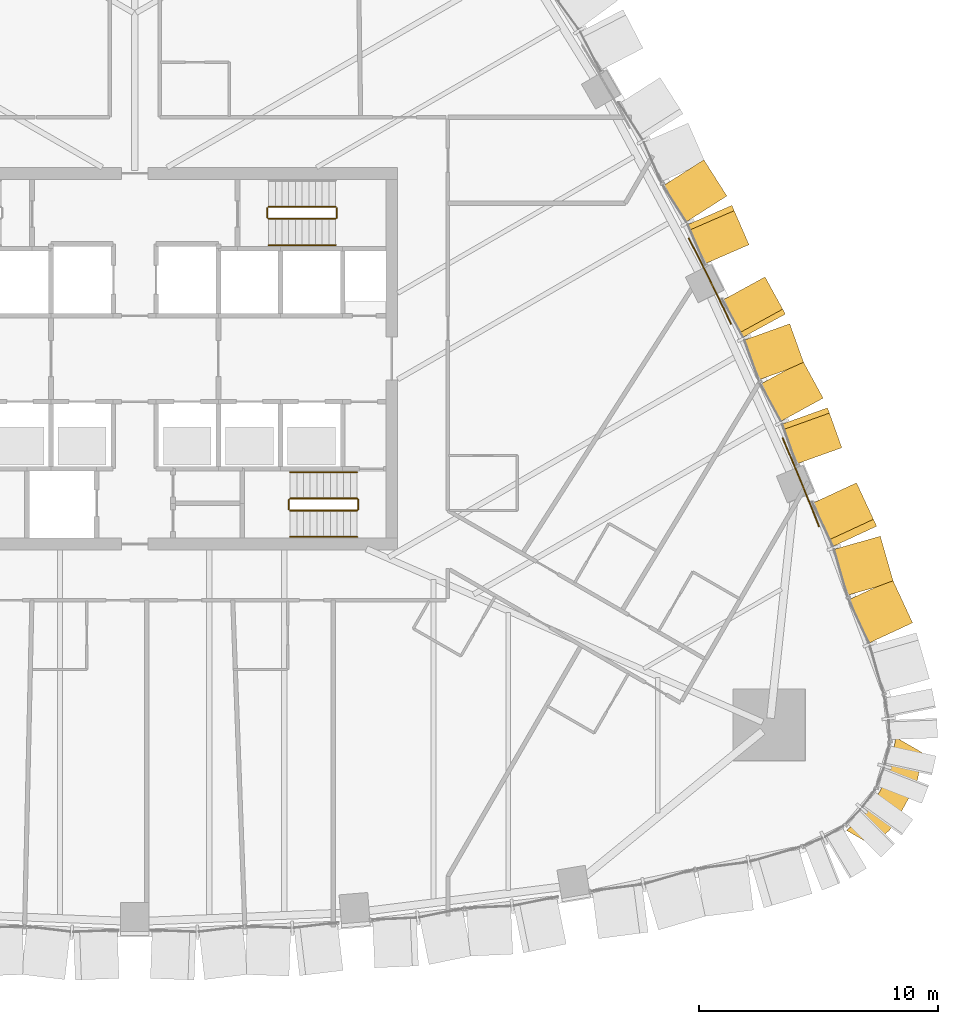
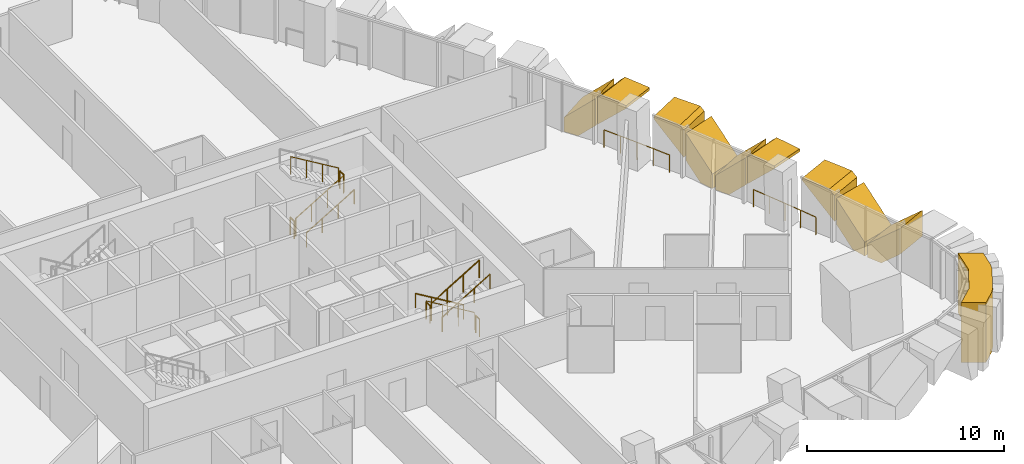
# One storey, part 20 of 23: 13 railings, 10 coverings.
"""IFC4 building model written with IfcOpenShell, lengths in metres."""

from ifc_helpers import new_model, si_unit, direction, frame, origin, origin_2d, place, context, subcontext, project, spatial, polyline, circle, outline, extrude, material, layer, layer_set, type_object, element, save


model = new_model("IFC4")

# Units and contexts
model_context = context("Model", 3, precision=1e-05, world=origin(), true_north=direction((0.0, 1.0)))
body_context = subcontext(model_context, "Body", "Model", "MODEL_VIEW")
ifc_project = project(units=[si_unit("LENGTHUNIT", "METRE"), si_unit("AREAUNIT", "SQUARE_METRE"), si_unit("VOLUMEUNIT", "CUBIC_METRE"), si_unit("PLANEANGLEUNIT", "RADIAN"), si_unit("MASSUNIT", "GRAM", prefix="KILO")], contexts=[model_context])

# Site, building, storey
site_placement = place(None, origin())
site = spatial("IfcSite", under=ifc_project, at=site_placement, CompositionType="ELEMENT")
building_placement = place(site_placement, origin())
building = spatial("IfcBuilding", under=site, at=building_placement, Name="Sierra Prisma Convention Tower", CompositionType="ELEMENT")
storey_placement = place(building_placement, frame((0.0, 0.0, 70.199951171875)))
storey = spatial("IfcBuildingStorey", under=building, at=storey_placement, Name="L13", CompositionType="ELEMENT", Elevation=70.199951171875)

# Coverings
ifc_material_1 = material(Name="Aluminium composite bronze anodised", Category="aluminium")
ifc_layer_1 = layer(ifc_material_1, 1.199951171875)
ifc_layer_set_1 = layer_set([ifc_layer_1], Name="Bronze corner pier")
covering_type_1 = type_object("IfcCoveringType", Name="Bronze corner pier", PredefinedType="CLADDING", material=ifc_layer_set_1)
covering_1_placement = place(storey_placement, frame((0.0, 0.0, -0.599853515625)))
element("IfcCovering", 1, at=covering_1_placement, inside=storey, type_object=covering_type_1, Name="Corner pier SE L13.1", PredefinedType="CLADDING", context=body_context, shape_type="SweptSolid", body=[
    extrude(outline(polyline([(32.628173828125, -17.910400390625), (31.81494140625, -19.404052734375), (31.573486328125, -19.71337890625), (30.868408203125, -20.3623046875), (29.779296875, -19.7333984375), (30.760986328125, -18.830322265625), (31.57421875, -17.336669921875), (31.831298828125, -15.83740234375), (32.939208984375, -16.47705078125), (32.7568359375, -17.53955078125), (32.628173828125, -17.910400390625)])), origin(), (0.0, 0.0, 1.0), 3.699951171875),
])
ifc_material_2 = material(Name="Aluminium 6063-T6 bronze anodised", Category="aluminium")
ifc_layer_2 = layer(ifc_material_2, 2.0)
ifc_layer_set_2 = layer_set([ifc_layer_2], Name="Bronze crystal chevron frame")
covering_type_2 = type_object("IfcCoveringType", Name="Bronze crystal chevron frame", PredefinedType="CLADDING", material=ifc_layer_set_2)
covering_2_placement = place(storey_placement, frame((32.535400390625, -11.0478515625, 2.588623046875), z_axis=(0.906977679817, 0.421178689243, 6.403645e-06), x_axis=(5.807963e-06, 2.697079e-06, -0.999999999979)))
element("IfcCovering", 2, at=covering_2_placement, inside=storey, type_object=covering_type_2, Name="CW-2 chevron frame NE1.1.2", PredefinedType="CLADDING", context=body_context, shape_type="SweptSolid", body=[
    extrude(outline(polyline([(0.0, 0.0), (1.590332031217393, -6.735318137713028e-22), (2.588623046962825, 1.1477750565278213), (2.5886230468628613, 2.0021609314681634), (1.741210937505236, 2.0021609314681634), (0.0, 0.0)])), origin(), (0.0, 0.0, -1.0), 2.0),
])
covering_3_placement = place(storey_placement, frame((31.735595703125, -9.348388671875, 0.0), z_axis=(0.961719426028, 0.274036029292, -1.5792788e-05), x_axis=(-0.274036029326, 0.961719426148, -7.12e-10)))
element("IfcCovering", 3, at=covering_3_placement, inside=storey, type_object=covering_type_2, Name="CW-2 chevron frame NE1.2.1", PredefinedType="CLADDING", context=body_context, shape_type="SweptSolid", body=[
    extrude(outline(polyline([(0.0, 0.0), (0.8542447317170547, 4.235164736271502e-22), (2.0019234251932656, 0.998291017174349), (2.0019234240613573, 2.588623048226025), (-6.031399783316374e-10, 0.8474121092693228), (0.0, 0.0)])), origin(), (0.0, 0.0, -1.0), 2.0),
])
covering_4_placement = place(storey_placement, frame((30.189208984375, -5.19140625, 2.97998046875), z_axis=(0.907028826078, 0.421068528421, 5.5107062e-05), x_axis=(0.42106852906, -0.907028827455, 3.1e-09)))
element("IfcCovering", 4, at=covering_4_placement, inside=storey, type_object=covering_type_2, Name="CW-2 chevron frame NE1.2.2", PredefinedType="CLADDING", context=body_context, shape_type="SweptSolid", body=[
    extrude(outline(polyline([(0.0, 0.0), (1.682238763281191, 0.0), (2.002058116680521, 0.27832031912997107), (2.0020581117497045, 1.8686523479652204), (-3.9437448168271243e-10, 0.12719726543186444), (0.0, 0.0)])), origin(), (0.0, 0.0, -1.0), 2.0),
])
covering_5_placement = place(storey_placement, frame((29.57568359375, -3.723876953125, 2.97998046875), z_axis=(0.941395811647, 0.337303900215, 6.8656492e-05), x_axis=(6.4632934e-05, 2.3158102e-05, -0.999999997643)))
element("IfcCovering", 5, at=covering_5_placement, inside=storey, type_object=covering_type_2, Name="CW-2 chevron frame NE2.1.1", PredefinedType="CLADDING", context=body_context, shape_type="SweptSolid", body=[
    extrude(outline(polyline([(0.0, 0.0), (0.17626953083455796, 0.0), (1.904296871590153, 1.7733542804410658), (0.22875976616415405, 1.7733542804410658), (-8.728886592051024e-09, 1.538444350927062), (0.0, 0.0)])), origin(), (0.0, 0.0, -1.0), 2.0),
])
covering_6_placement = place(storey_placement, frame((28.795654296875, -1.650146484375, 2.62451171875), z_axis=(0.877000705941, 0.480489085995, -4.369937e-06), x_axis=(-3.832438e-06, -2.099707e-06, -0.99999999999)))
element("IfcCovering", 6, at=covering_6_placement, inside=storey, type_object=covering_type_2, Name="CW-2 chevron frame NE2.1.2", PredefinedType="CLADDING", context=body_context, shape_type="SweptSolid", body=[
    extrude(outline(polyline([(0.0, 0.0), (1.6755371093590017, 0.0), (2.6245117187921743, 0.9735079486033532), (2.624511718743063, 1.7732913591392947), (1.7282714843766203, 1.7732913591392947), (0.0, 0.0)])), origin(), (0.0, 0.0, -1.0), 2.0),
])
covering_7_placement = place(storey_placement, frame((27.99462890625, -0.208251953125, 0.0), z_axis=(0.94138002964, 0.337347950194, -1.7201662e-05), x_axis=(-0.337347950244, 0.941380029779, -9.52e-10)))
element("IfcCovering", 7, at=covering_7_placement, inside=storey, type_object=covering_type_2, Name="CW-2 chevron frame NE2.2.1", PredefinedType="CLADDING", context=body_context, shape_type="SweptSolid", body=[
    extrude(outline(polyline([(0.0, 0.0), (0.799571317584813, 8.470329472543003e-22), (1.7731244477527988, 0.9489746112029477), (1.773124446158128, 2.6245117203300548), (-8.529850083682211e-10, 0.8962402342424025), (0.0, 0.0)])), origin(), (0.0, 0.0, -1.0), 2.0),
])
covering_8_placement = place(storey_placement, frame((26.362548828125, 3.42041015625, 2.97998046875), z_axis=(0.877000466275, 0.480489523247, 1.4262769e-05), x_axis=(0.480489523296, -0.877000466364, 2.45e-10)))
element("IfcCovering", 8, at=covering_8_placement, inside=storey, type_object=covering_type_2, Name="CW-2 chevron frame NE2.2.2", PredefinedType="CLADDING", context=body_context, shape_type="SweptSolid", body=[
    extrude(outline(polyline([(0.0, 0.0), (1.538599573763296, 3.3881317890172014e-21), (1.773291359085133, 0.22875976608243595), (1.7732913586748988, 1.9042968752870115), (-4.315737348365742e-11, 0.17626953123207104), (0.0, 0.0)])), origin(), (0.0, 0.0, -1.0), 2.0),
])
covering_9_placement = place(storey_placement, frame((25.69384765625, 4.76708984375, 2.97998046875), z_axis=(0.916861559339, 0.399205307831, 5.6625058e-05), x_axis=(5.1917339e-05, 2.2605024e-05, -0.999999998397)))
element("IfcCovering", 9, at=covering_9_placement, inside=storey, type_object=covering_type_2, Name="CW-2 chevron frame NE3.1.1", PredefinedType="CLADDING", context=body_context, shape_type="SweptSolid", body=[
    extrude(outline(polyline([(0.0, 0.0), (0.17089843722601586, 0.0), (1.900390622704013, 1.794978359808072), (0.23413085975035827, 1.794978359808072), (-5.890658923279478e-09, 1.5519170530499338), (0.0, 0.0)])), origin(), (0.0, 0.0, -1.0), 2.0),
])
covering_10_placement = place(storey_placement, frame((24.768798828125, 6.80419921875, 2.62060546875), z_axis=(0.843159473083, 0.537663559189, -8.442601e-06), x_axis=(-7.118459e-06, -4.539279e-06, -0.999999999964)))
element("IfcCovering", 10, at=covering_10_placement, inside=storey, type_object=covering_type_2, Name="CW-2 chevron frame NE3.1.2", PredefinedType="CLADDING", context=body_context, shape_type="SweptSolid", body=[
    extrude(outline(polyline([(0.0, 0.0), (1.666503906190608, 1.4115837153217417e-21), (2.6206054689069114, 0.9902953175484093), (2.620605468724611, 1.7949535213318404), (1.7294921875063691, 1.7949535213318404), (0.0, 0.0)])), origin(), (0.0, 0.0, -1.0), 2.0),
])

# Railings
ifc_material_3 = material(Name="Stainless steel", Category="steel")
railing_type_1 = type_object("IfcRailingType", Name="Exit stair handrail", PredefinedType="HANDRAIL", material=ifc_material_3)
railing_1_placement = place(storey_placement, frame((9.300048828125, -4.75, 0.168212890625)))
element("IfcRailing", 11, at=railing_1_placement, inside=storey, type_object=railing_type_1, Name="L13 S2 stair handrail 1", PredefinedType="HANDRAIL", context=body_context, shape_type="SweptSolid", body=[
    extrude(circle(Radius=0.02392578125, at=origin_2d()), frame((0.0, 0.0, 0.8759765625), z_axis=(-0.857242210791, 0.0, 0.514913383045), x_axis=(0.0, -1.0, 0.0)), (0.0, 0.0, 1.0), 3.266357421875),
    extrude(circle(Radius=0.02099609375, at=origin_2d()), origin(), (0.0, 0.0, 1.0), 0.851806640625),
    extrude(circle(Radius=0.02099609375, at=origin_2d()), frame((-0.933349609375, 0.0, 0.560546875)), (0.0, 0.0, 1.0), 0.851806640625),
    extrude(circle(Radius=0.02099609375, at=origin_2d()), frame((-1.86669921875, 0.0, 1.121337890625)), (0.0, 0.0, 1.0), 0.851806640625),
    extrude(circle(Radius=0.02099609375, at=origin_2d()), frame((-2.800048828125, 0.0, 1.681884765625)), (0.0, 0.0, 1.0), 0.851806640625),
])
railing_2_placement = place(storey_placement, frame((6.5, -7.449951171875, 2.018310546875)))
element("IfcRailing", 12, at=railing_2_placement, inside=storey, type_object=railing_type_1, Name="L13 S2 stair handrail 2", PredefinedType="HANDRAIL", context=body_context, shape_type="SweptSolid", body=[
    extrude(circle(Radius=0.02392578125, at=origin_2d()), frame((0.0, 0.0, 0.8759765625), z_axis=(0.857275202839, 0.0, 0.514858452973), x_axis=(0.0, 1.0, 0.0)), (0.0, 0.0, 1.0), 3.26611328125),
    extrude(circle(Radius=0.02099609375, at=origin_2d()), origin(), (0.0, 0.0, 1.0), 0.851806640625),
    extrude(circle(Radius=0.02099609375, at=origin_2d()), frame((0.933349609375, 0.0, 0.560546875)), (0.0, 0.0, 1.0), 0.851806640625),
    extrude(circle(Radius=0.02099609375, at=origin_2d()), frame((1.86669921875, 0.0, 1.12109375)), (0.0, 0.0, 1.0), 0.851806640625),
    extrude(circle(Radius=0.02099609375, at=origin_2d()), frame((2.800048828125, 0.0, 1.681640625)), (0.0, 0.0, 1.0), 0.851806640625),
])
railing_3_placement = place(storey_placement, frame((5.60009765625, 4.75, 0.168212890625)))
element("IfcRailing", 13, at=railing_3_placement, inside=storey, type_object=railing_type_1, Name="L13 S4 stair handrail 1", PredefinedType="HANDRAIL", context=body_context, shape_type="SweptSolid", body=[
    extrude(circle(Radius=0.02392578125, at=origin_2d()), frame((0.0, 0.0, 0.8759765625), z_axis=(0.857222391501, 0.0, 0.514946377315), x_axis=(0.0, 1.0, 0.0)), (0.0, 0.0, 1.0), 3.26611328125),
    extrude(circle(Radius=0.02099609375, at=origin_2d()), origin(), (0.0, 0.0, 1.0), 0.851806640625),
    extrude(circle(Radius=0.02099609375, at=origin_2d()), frame((0.933349609375, 0.0, 0.560546875)), (0.0, 0.0, 1.0), 0.851806640625),
    extrude(circle(Radius=0.02099609375, at=origin_2d()), frame((1.866455078125, 0.0, 1.121337890625)), (0.0, 0.0, 1.0), 0.851806640625),
    extrude(circle(Radius=0.02099609375, at=origin_2d()), frame((2.7998046875, 0.0, 1.681884765625)), (0.0, 0.0, 1.0), 0.851806640625),
])
ifc_material_4 = material(Name="Bronze anodised aluminium", Category="aluminium")
railing_type_2 = type_object("IfcRailingType", Name="Facade guard 1100", PredefinedType="GUARDRAIL", material=ifc_material_4)
railing_4_placement = place(storey_placement, frame((28.62109375, -7.0107421875, 0.0)))
element("IfcRailing", 14, at=railing_4_placement, inside=storey, type_object=railing_type_2, Name="Facade guard", PredefinedType="GUARDRAIL", context=body_context, shape_type="SweptSolid", body=[
    extrude(circle(Radius=0.02392578125, at=origin_2d()), frame((0.0, 0.0, 1.076171875), z_axis=(-0.372025662304, 0.928222444561, 0.0), x_axis=(-0.928222444561, -0.372025662304, 0.0)), (0.0, 0.0, 1.0), 0.994140625),
    extrude(circle(Radius=0.02392578125, at=origin_2d()), frame((-0.369873046875, 0.9228515625, 1.076171875), z_axis=(-0.377444229688, 0.926032317727, 0.0), x_axis=(-0.926032317727, -0.377444229688, 0.0)), (0.0, 0.0, 1.0), 1.0),
    extrude(circle(Radius=0.02392578125, at=origin_2d()), frame((-0.747314453125, 1.848876953125, 1.076171875), z_axis=(-0.385486928173, 0.922713296863, 0.0), x_axis=(-0.922713296863, -0.385486928173, 0.0)), (0.0, 0.0, 1.0), 0.994384765625),
    extrude(circle(Radius=0.02392578125, at=origin_2d()), frame((-1.130615234375, 2.766357421875, 1.076171875), z_axis=(-0.390587461471, 0.920565823253, 0.0), x_axis=(-0.920565823253, -0.390587461471, 0.0)), (0.0, 0.0, 1.0), 1.0),
    extrude(circle(Radius=0.02099609375, at=origin_2d()), origin(), (0.0, 0.0, 1.0), 1.052001953125),
    extrude(circle(Radius=0.02099609375, at=origin_2d()), frame((-0.369873046875, 0.9228515625, 0.0)), (0.0, 0.0, 1.0), 1.052001953125),
    extrude(circle(Radius=0.02099609375, at=origin_2d()), frame((-0.747314453125, 1.848876953125, 0.0)), (0.0, 0.0, 1.0), 1.052001953125),
    extrude(circle(Radius=0.02099609375, at=origin_2d()), frame((-1.130615234375, 2.766357421875, 0.0)), (0.0, 0.0, 1.0), 1.052001953125),
    extrude(circle(Radius=0.02099609375, at=origin_2d()), frame((-1.521240234375, 3.68701171875, 0.0)), (0.0, 0.0, 1.0), 1.052001953125),
])
railing_5_placement = place(storey_placement, frame((24.940185546875, 1.452880859375, 0.0)))
element("IfcRailing", 15, at=railing_5_placement, inside=storey, type_object=railing_type_2, Name="Facade guard", PredefinedType="GUARDRAIL", context=body_context, shape_type="SweptSolid", body=[
    extrude(circle(Radius=0.02392578125, at=origin_2d()), frame((0.0, 0.0, 1.076171875), z_axis=(-0.429649280129, 0.902995844999, 0.0), x_axis=(-0.902995844999, -0.429649280129, 0.0)), (0.0, 0.0, 1.0), 1.0),
    extrude(circle(Radius=0.02392578125, at=origin_2d()), frame((-0.4296875, 0.903076171875, 1.076171875), z_axis=(-0.440817105389, 0.897596947185, 0.0), x_axis=(-0.897596947185, -0.440817105389, 0.0)), (0.0, 0.0, 1.0), 0.994140625),
    extrude(circle(Radius=0.02392578125, at=origin_2d()), frame((-0.867919921875, 1.79541015625, 1.076171875), z_axis=(-0.442324761437, 0.896854952274, 0.0), x_axis=(-0.896854952274, -0.442324761437, 0.0)), (0.0, 0.0, 1.0), 1.000244140625),
    extrude(circle(Radius=0.02392578125, at=origin_2d()), frame((-1.310302734375, 2.6923828125, 1.076171875), z_axis=(-0.453782316387, 0.891112568273, 0.0), x_axis=(-0.891112568273, -0.453782316387, 0.0)), (0.0, 0.0, 1.0), 0.994140625),
    extrude(circle(Radius=0.02099609375, at=origin_2d()), origin(), (0.0, 0.0, 1.0), 1.052001953125),
    extrude(circle(Radius=0.02099609375, at=origin_2d()), frame((-0.4296875, 0.903076171875, 0.0)), (0.0, 0.0, 1.0), 1.052001953125),
    extrude(circle(Radius=0.02099609375, at=origin_2d()), frame((-0.867919921875, 1.79541015625, 0.0)), (0.0, 0.0, 1.0), 1.052001953125),
    extrude(circle(Radius=0.02099609375, at=origin_2d()), frame((-1.310302734375, 2.6923828125, 0.0)), (0.0, 0.0, 1.0), 1.052001953125),
    extrude(circle(Radius=0.02099609375, at=origin_2d()), frame((-1.761474609375, 3.578369140625, 0.0)), (0.0, 0.0, 1.0), 1.052001953125),
])
ifc_material_5 = material(Name="Stainless steel", Category="steel")
railing_type_3 = type_object("IfcRailingType", Name="Stair guard 1100", PredefinedType="GUARDRAIL", material=ifc_material_5)
railing_6_placement = place(storey_placement, frame((9.300048828125, -5.85009765625, 0.168212890625)))
element("IfcRailing", 16, at=railing_6_placement, inside=storey, type_object=railing_type_3, Name="L13 S2 stair guard 1", PredefinedType="GUARDRAIL", context=body_context, shape_type="SweptSolid", body=[
    extrude(circle(Radius=0.02392578125, at=origin_2d()), frame((0.0, 0.0, 1.076171875), z_axis=(-0.857242210791, 0.0, 0.514913383045), x_axis=(0.0, -1.0, 0.0)), (0.0, 0.0, 1.0), 3.266357421875),
    extrude(circle(Radius=0.02099609375, at=origin_2d()), origin(), (0.0, 0.0, 1.0), 1.052001953125),
    extrude(circle(Radius=0.02099609375, at=origin_2d()), frame((-0.933349609375, 0.0, 0.560546875)), (0.0, 0.0, 1.0), 1.052001953125),
    extrude(circle(Radius=0.02099609375, at=origin_2d()), frame((-1.86669921875, 0.0, 1.121337890625)), (0.0, 0.0, 1.0), 1.052001953125),
    extrude(circle(Radius=0.02099609375, at=origin_2d()), frame((-2.800048828125, 0.0, 1.681884765625)), (0.0, 0.0, 1.0), 1.052001953125),
])
railing_7_placement = place(storey_placement, frame((6.449951171875, -5.89990234375, 1.85009765625)))
element("IfcRailing", 17, at=railing_7_placement, inside=storey, type_object=railing_type_3, Name="L13 S2 stair guard 2", PredefinedType="GUARDRAIL", context=body_context, shape_type="SweptSolid", body=[
    extrude(circle(Radius=0.02392578125, at=origin_2d()), frame((0.0, 0.0, 1.076171875), z_axis=(0.0, -1.0, 0.0), x_axis=(1.0, 0.0, 0.0)), (0.0, 0.0, 1.0), 0.400146484375),
    extrude(circle(Radius=0.02099609375, at=origin_2d()), origin(), (0.0, 0.0, 1.0), 1.052001953125),
    extrude(circle(Radius=0.02099609375, at=origin_2d()), frame((0.0, -0.400146484375, 0.0)), (0.0, 0.0, 1.0), 1.052001953125),
])
railing_8_placement = place(storey_placement, frame((6.5, -6.35009765625, 2.018310546875)))
element("IfcRailing", 18, at=railing_8_placement, inside=storey, type_object=railing_type_3, Name="L13 S2 stair guard 3", PredefinedType="GUARDRAIL", context=body_context, shape_type="SweptSolid", body=[
    extrude(circle(Radius=0.02392578125, at=origin_2d()), frame((0.0, 0.0, 1.076171875), z_axis=(0.857275202839, 0.0, 0.514858452973), x_axis=(0.0, 1.0, 0.0)), (0.0, 0.0, 1.0), 3.26611328125),
    extrude(circle(Radius=0.02099609375, at=origin_2d()), origin(), (0.0, 0.0, 1.0), 1.052001953125),
    extrude(circle(Radius=0.02099609375, at=origin_2d()), frame((0.933349609375, 0.0, 0.560546875)), (0.0, 0.0, 1.0), 1.052001953125),
    extrude(circle(Radius=0.02099609375, at=origin_2d()), frame((1.86669921875, 0.0, 1.12109375)), (0.0, 0.0, 1.0), 1.052001953125),
    extrude(circle(Radius=0.02099609375, at=origin_2d()), frame((2.800048828125, 0.0, 1.681640625)), (0.0, 0.0, 1.0), 1.052001953125),
])
railing_9_placement = place(storey_placement, frame((9.35009765625, -5.89990234375, 0.0)))
element("IfcRailing", 19, at=railing_9_placement, inside=storey, type_object=railing_type_3, Name="L13 S2 stair guard 4", PredefinedType="GUARDRAIL", context=body_context, shape_type="SweptSolid", body=[
    extrude(circle(Radius=0.02392578125, at=origin_2d()), frame((0.0, 0.0, 1.076171875), z_axis=(0.0, -1.0, 0.0), x_axis=(1.0, 0.0, 0.0)), (0.0, 0.0, 1.0), 0.400146484375),
    extrude(circle(Radius=0.02099609375, at=origin_2d()), origin(), (0.0, 0.0, 1.0), 1.052001953125),
    extrude(circle(Radius=0.02099609375, at=origin_2d()), frame((0.0, -0.400146484375, 0.0)), (0.0, 0.0, 1.0), 1.052001953125),
])
railing_10_placement = place(storey_placement, frame((5.60009765625, 5.85009765625, 0.168212890625)))
element("IfcRailing", 20, at=railing_10_placement, inside=storey, type_object=railing_type_3, Name="L13 S4 stair guard 1", PredefinedType="GUARDRAIL", context=body_context, shape_type="SweptSolid", body=[
    extrude(circle(Radius=0.02392578125, at=origin_2d()), frame((0.0, 0.0, 1.076171875), z_axis=(0.857222391501, 0.0, 0.514946377315), x_axis=(0.0, 1.0, 0.0)), (0.0, 0.0, 1.0), 3.26611328125),
    extrude(circle(Radius=0.02099609375, at=origin_2d()), origin(), (0.0, 0.0, 1.0), 1.052001953125),
    extrude(circle(Radius=0.02099609375, at=origin_2d()), frame((0.933349609375, 0.0, 0.560546875)), (0.0, 0.0, 1.0), 1.052001953125),
    extrude(circle(Radius=0.02099609375, at=origin_2d()), frame((1.866455078125, 0.0, 1.121337890625)), (0.0, 0.0, 1.0), 1.052001953125),
    extrude(circle(Radius=0.02099609375, at=origin_2d()), frame((2.7998046875, 0.0, 1.681884765625)), (0.0, 0.0, 1.0), 1.052001953125),
])
railing_11_placement = place(storey_placement, frame((8.449951171875, 5.89990234375, 1.85009765625)))
element("IfcRailing", 21, at=railing_11_placement, inside=storey, type_object=railing_type_3, Name="L13 S4 stair guard 2", PredefinedType="GUARDRAIL", context=body_context, shape_type="SweptSolid", body=[
    extrude(circle(Radius=0.02392578125, at=origin_2d()), frame((0.0, 0.0, 1.076171875), z_axis=(0.0, 1.0, 0.0), x_axis=(-1.0, 0.0, 0.0)), (0.0, 0.0, 1.0), 0.400146484375),
    extrude(circle(Radius=0.02099609375, at=origin_2d()), origin(), (0.0, 0.0, 1.0), 1.052001953125),
    extrude(circle(Radius=0.02099609375, at=origin_2d()), frame((0.0, 0.400146484375, 0.0)), (0.0, 0.0, 1.0), 1.052001953125),
])
railing_12_placement = place(storey_placement, frame((8.39990234375, 6.35009765625, 2.018310546875)))
element("IfcRailing", 22, at=railing_12_placement, inside=storey, type_object=railing_type_3, Name="L13 S4 stair guard 3", PredefinedType="GUARDRAIL", context=body_context, shape_type="SweptSolid", body=[
    extrude(circle(Radius=0.02392578125, at=origin_2d()), frame((0.0, 0.0, 1.076171875), z_axis=(-0.857255387014, 0.0, 0.514891446264), x_axis=(0.0, -1.0, 0.0)), (0.0, 0.0, 1.0), 3.26611328125),
    extrude(circle(Radius=0.02099609375, at=origin_2d()), origin(), (0.0, 0.0, 1.0), 1.052001953125),
    extrude(circle(Radius=0.02099609375, at=origin_2d()), frame((-0.933349609375, 0.0, 0.560546875)), (0.0, 0.0, 1.0), 1.052001953125),
    extrude(circle(Radius=0.02099609375, at=origin_2d()), frame((-1.866455078125, 0.0, 1.12109375)), (0.0, 0.0, 1.0), 1.052001953125),
    extrude(circle(Radius=0.02099609375, at=origin_2d()), frame((-2.7998046875, 0.0, 1.681640625)), (0.0, 0.0, 1.0), 1.052001953125),
])
railing_13_placement = place(storey_placement, frame((5.550048828125, 5.89990234375, 0.0)))
element("IfcRailing", 23, at=railing_13_placement, inside=storey, type_object=railing_type_3, Name="L13 S4 stair guard 4", PredefinedType="GUARDRAIL", context=body_context, shape_type="SweptSolid", body=[
    extrude(circle(Radius=0.02392578125, at=origin_2d()), frame((0.0, 0.0, 1.076171875), z_axis=(0.0, 1.0, 0.0), x_axis=(-1.0, 0.0, 0.0)), (0.0, 0.0, 1.0), 0.400146484375),
    extrude(circle(Radius=0.02099609375, at=origin_2d()), origin(), (0.0, 0.0, 1.0), 1.052001953125),
    extrude(circle(Radius=0.02099609375, at=origin_2d()), frame((0.0, 0.400146484375, 0.0)), (0.0, 0.0, 1.0), 1.052001953125),
])

save(model, "model.ifc")
